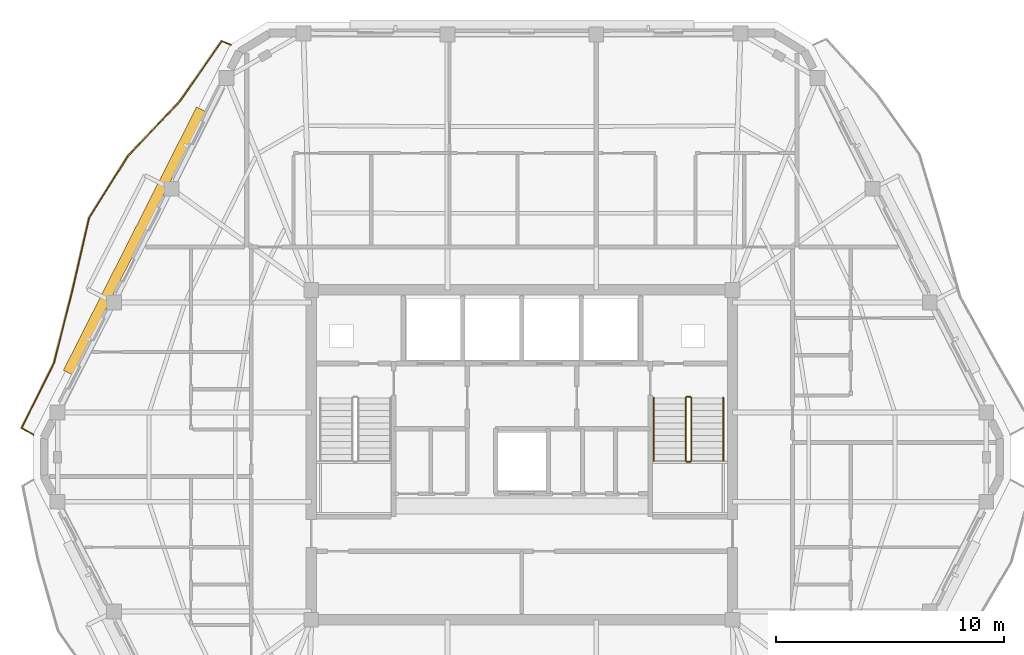
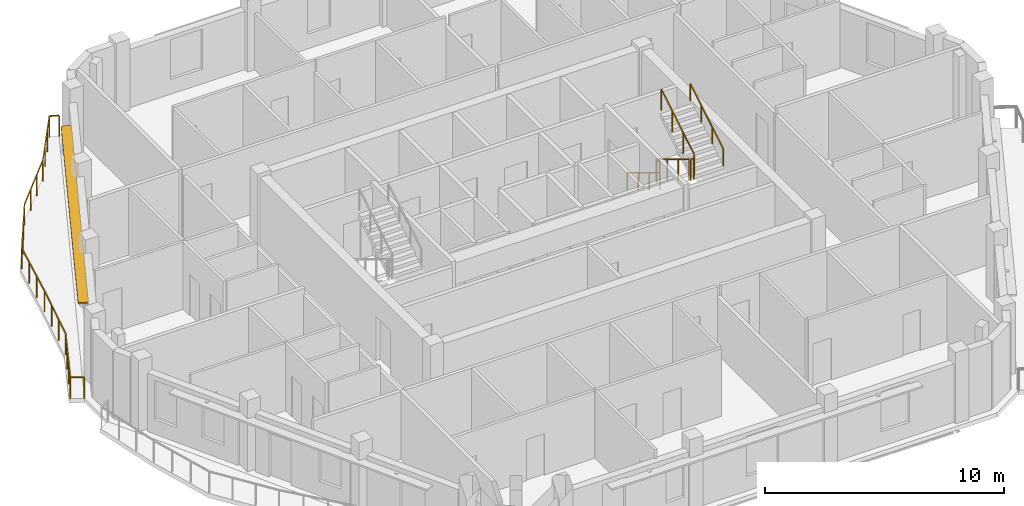
# One storey, part 10 of 11: 7 railings, 1 shading device.
"""IFC4 building model written with IfcOpenShell, lengths in metres."""

from ifc_helpers import new_model, si_unit, direction, frame, origin, origin_2d, place, context, subcontext, project, spatial, rectangle, extrude, material, layer, layer_set, type_object, element, save


model = new_model("IFC4")

# Units and contexts
model_context = context("Model", 3, precision=1e-05, world=origin(), true_north=direction((0.0, 1.0)))
body_context = subcontext(model_context, "Body", "Model", "MODEL_VIEW")
ifc_project = project(units=[si_unit("LENGTHUNIT", "METRE"), si_unit("AREAUNIT", "SQUARE_METRE"), si_unit("VOLUMEUNIT", "CUBIC_METRE"), si_unit("PLANEANGLEUNIT", "RADIAN"), si_unit("MASSUNIT", "GRAM", prefix="KILO")], contexts=[model_context])

# Site, building, storey
site_placement = place(None, origin())
site = spatial("IfcSite", under=ifc_project, at=site_placement, CompositionType="ELEMENT")
building_placement = place(site_placement, origin())
building = spatial("IfcBuilding", under=site, at=building_placement, Name="Cinnabar Lancet Tower", CompositionType="ELEMENT")
storey_placement = place(building_placement, frame((0.0, 0.0, 259.85009765625)))
storey = spatial("IfcBuildingStorey", under=building, at=storey_placement, Name="L69", CompositionType="ELEMENT", Elevation=259.85009765625)

# Railing
ifc_material_1 = material(Name="Laminated safety glass and bronze stainless steel balustrade", Category="steel")
railing_type_1 = type_object("IfcRailingType", Name="ENV-RLG-BAL-1100", PredefinedType="BALUSTRADE", material=ifc_material_1)
railing_1_placement = place(storey_placement, frame((19.638916015625, 43.867919921875, 0.0)))
element("IfcRailing", 1, at=railing_1_placement, inside=storey, type_object=railing_type_1, Name="L69 Face 5 Wave Balcony Balustrade", PredefinedType="BALUSTRADE", context=body_context, shape_type="SweptSolid", body=[
    extrude(rectangle(XDim=0.048095703125, YDim=0.048095703125, at=origin_2d()), frame((0.0, 0.0, 1.076171875), z_axis=(-0.924824144788, 0.380394927958, 0.0), x_axis=(-0.380394927958, -0.924824144788, 0.0)), (0.0, 0.0, 1.0), 0.415283203125),
    extrude(rectangle(XDim=0.048095703125, YDim=0.048095703125, at=origin_2d()), frame((-0.384033203125, 0.157958984375, 1.076171875), z_axis=(-0.570229159209, -0.821485669983, 0.0), x_axis=(0.821485669983, -0.570229159209, 0.0)), (0.0, 0.0, 1.0), 3.21240234375),
    extrude(rectangle(XDim=0.048095703125, YDim=0.048095703125, at=origin_2d()), frame((-2.2158203125, -2.48095703125, 1.076171875), z_axis=(-0.687571197021, -0.726116966492, 0.0), x_axis=(0.726116966492, -0.687571197021, 0.0)), (0.0, 0.0, 1.0), 3.31884765625),
    extrude(rectangle(XDim=0.048095703125, YDim=0.048095703125, at=origin_2d()), frame((-4.497802734375, -4.890869140625, 1.076171875), z_axis=(-0.531783425437, -0.846880386141, 0.0), x_axis=(0.846880386141, -0.531783425437, 0.0)), (0.0, 0.0, 1.0), 3.1953125),
    extrude(rectangle(XDim=0.048095703125, YDim=0.048095703125, at=origin_2d()), frame((-6.197021484375, -7.596923828125, 1.076171875), z_axis=(-0.224641764906, -0.974441418177, 0.0), x_axis=(0.974441418177, -0.224641764906, 0.0)), (0.0, 0.0, 1.0), 3.275634765625),
    extrude(rectangle(XDim=0.048095703125, YDim=0.048095703125, at=origin_2d()), frame((-6.932861328125, -10.788818359375, 1.076171875), z_axis=(-0.245424539708, -0.969415697887, 0.0), x_axis=(0.969415697887, -0.245424539708, 0.0)), (0.0, 0.0, 1.0), 3.259765625),
    extrude(rectangle(XDim=0.048095703125, YDim=0.048095703125, at=origin_2d()), frame((-7.73291015625, -13.948974609375, 1.076171875), z_axis=(-0.445954780839, -0.895055491825, 0.0), x_axis=(0.895055491825, -0.445954780839, 0.0)), (0.0, 0.0, 1.0), 3.181884765625),
    extrude(rectangle(XDim=0.048095703125, YDim=0.048095703125, at=origin_2d()), frame((-9.15185546875, -16.796875, 1.076171875), z_axis=(0.869980501926, -0.493086124596, 0.0), x_axis=(0.493086124596, 0.869980501926, 0.0)), (0.0, 0.0, 1.0), 0.586181640625),
    extrude(rectangle(XDim=0.0419921875, YDim=0.0419921875, at=origin_2d()), origin(), (0.0, 0.0, 1.0), 1.052001953125),
    extrude(rectangle(XDim=0.0419921875, YDim=0.0419921875, at=origin_2d()), frame((-0.384033203125, 0.157958984375, 0.0)), (0.0, 0.0, 1.0), 1.052001953125),
    extrude(rectangle(XDim=0.0419921875, YDim=0.0419921875, at=origin_2d()), frame((-0.99462890625, -0.7216796875, 0.0)), (0.0, 0.0, 1.0), 1.052001953125),
    extrude(rectangle(XDim=0.0419921875, YDim=0.0419921875, at=origin_2d()), frame((-1.605224609375, -1.601318359375, 0.0)), (0.0, 0.0, 1.0), 1.052001953125),
    extrude(rectangle(XDim=0.0419921875, YDim=0.0419921875, at=origin_2d()), frame((-2.2158203125, -2.48095703125, 0.0)), (0.0, 0.0, 1.0), 1.052001953125),
    extrude(rectangle(XDim=0.0419921875, YDim=0.0419921875, at=origin_2d()), frame((-2.9765625, -3.2841796875, 0.0)), (0.0, 0.0, 1.0), 1.052001953125),
    extrude(rectangle(XDim=0.0419921875, YDim=0.0419921875, at=origin_2d()), frame((-3.737060546875, -4.087646484375, 0.0)), (0.0, 0.0, 1.0), 1.052001953125),
    extrude(rectangle(XDim=0.0419921875, YDim=0.0419921875, at=origin_2d()), frame((-4.497802734375, -4.890869140625, 0.0)), (0.0, 0.0, 1.0), 1.052001953125),
    extrude(rectangle(XDim=0.0419921875, YDim=0.0419921875, at=origin_2d()), frame((-5.064208984375, -5.79296875, 0.0)), (0.0, 0.0, 1.0), 1.052001953125),
    extrude(rectangle(XDim=0.0419921875, YDim=0.0419921875, at=origin_2d()), frame((-5.630615234375, -6.69482421875, 0.0)), (0.0, 0.0, 1.0), 1.052001953125),
    extrude(rectangle(XDim=0.0419921875, YDim=0.0419921875, at=origin_2d()), frame((-6.197021484375, -7.596923828125, 0.0)), (0.0, 0.0, 1.0), 1.052001953125),
    extrude(rectangle(XDim=0.0419921875, YDim=0.0419921875, at=origin_2d()), frame((-6.4423828125, -8.660888671875, 0.0)), (0.0, 0.0, 1.0), 1.052001953125),
    extrude(rectangle(XDim=0.0419921875, YDim=0.0419921875, at=origin_2d()), frame((-6.6875, -9.724853515625, 0.0)), (0.0, 0.0, 1.0), 1.052001953125),
    extrude(rectangle(XDim=0.0419921875, YDim=0.0419921875, at=origin_2d()), frame((-6.932861328125, -10.788818359375, 0.0)), (0.0, 0.0, 1.0), 1.052001953125),
    extrude(rectangle(XDim=0.0419921875, YDim=0.0419921875, at=origin_2d()), frame((-7.199462890625, -11.84228515625, 0.0)), (0.0, 0.0, 1.0), 1.052001953125),
    extrude(rectangle(XDim=0.0419921875, YDim=0.0419921875, at=origin_2d()), frame((-7.46630859375, -12.8955078125, 0.0)), (0.0, 0.0, 1.0), 1.052001953125),
    extrude(rectangle(XDim=0.0419921875, YDim=0.0419921875, at=origin_2d()), frame((-7.73291015625, -13.948974609375, 0.0)), (0.0, 0.0, 1.0), 1.052001953125),
    extrude(rectangle(XDim=0.0419921875, YDim=0.0419921875, at=origin_2d()), frame((-8.205810546875, -14.898193359375, 0.0)), (0.0, 0.0, 1.0), 1.052001953125),
    extrude(rectangle(XDim=0.0419921875, YDim=0.0419921875, at=origin_2d()), frame((-8.678955078125, -15.84765625, 0.0)), (0.0, 0.0, 1.0), 1.052001953125),
    extrude(rectangle(XDim=0.0419921875, YDim=0.0419921875, at=origin_2d()), frame((-9.15185546875, -16.796875, 0.0)), (0.0, 0.0, 1.0), 1.052001953125),
    extrude(rectangle(XDim=0.0419921875, YDim=0.0419921875, at=origin_2d()), frame((-8.641845703125, -17.0859375, 0.0)), (0.0, 0.0, 1.0), 1.052001953125),
])

# Shading device
ifc_material_2 = material(Name="Pale limestone architectural aluminium sunshade", Category="masonry")
ifc_layer = layer(ifc_material_2, 0.080078125)
ifc_layer_set = layer_set([ifc_layer], Name="Pale limestone architectural aluminium sunshade")
shading_device_type = type_object("IfcShadingDeviceType", Name="ENV-SHD-LVR-450", PredefinedType="JALOUSIE", material=ifc_layer_set)
shading_device_placement = place(storey_placement, frame((15.43603515625, 35.27001953125, 2.639892578125), z_axis=(0.0, 0.0, 1.0), x_axis=(-0.451375984307, -0.89233386173, 0.0)))
element("IfcShadingDevice", 2, at=shading_device_placement, inside=storey, type_object=shading_device_type, Name="L69 Face 5 Horizontal Sunshade Canopy", PredefinedType="JALOUSIE", context=body_context, shape_type="SweptSolid", body=[
    extrude(rectangle(XDim=12.912109375, YDim=0.449951171875, at=origin_2d()), origin(), (0.0, 0.0, 1.0), 0.080078125),
])

# Railings
ifc_material_3 = material(Name="Painted galvanized steel balustrade", Category="steel")
railing_type_2 = type_object("IfcRailingType", Name="GUARD-STAIR", PredefinedType="GUARDRAIL", material=ifc_material_3)
railing_2_placement = place(storey_placement, frame((39.574951171875, 28.39990234375, 0.165771484375)))
element("IfcRailing", 3, at=railing_2_placement, inside=storey, type_object=railing_type_2, Name="L69 ST-2 stair guard 1", PredefinedType="GUARDRAIL", context=body_context, shape_type="SweptSolid", body=[
    extrude(rectangle(XDim=0.048095703125, YDim=0.048095703125, at=origin_2d()), frame((0.0, 0.0, 1.076171875), z_axis=(0.0, -0.856229400918, 0.51659579267), x_axis=(1.0, 0.0, 0.0)), (0.0, 0.0, 1.0), 3.211669921875),
    extrude(rectangle(XDim=0.0419921875, YDim=0.0419921875, at=origin_2d()), origin(), (0.0, 0.0, 1.0), 1.052001953125),
    extrude(rectangle(XDim=0.0419921875, YDim=0.0419921875, at=origin_2d()), frame((0.0, -0.916748046875, 0.552978515625)), (0.0, 0.0, 1.0), 1.052001953125),
    extrude(rectangle(XDim=0.0419921875, YDim=0.0419921875, at=origin_2d()), frame((0.0, -1.833251953125, 1.106201171875)), (0.0, 0.0, 1.0), 1.052001953125),
    extrude(rectangle(XDim=0.0419921875, YDim=0.0419921875, at=origin_2d()), frame((0.0, -2.75, 1.6591796875)), (0.0, 0.0, 1.0), 1.052001953125),
])
railing_3_placement = place(storey_placement, frame((39.625, 25.60009765625, 1.824951171875)))
element("IfcRailing", 4, at=railing_3_placement, inside=storey, type_object=railing_type_2, Name="L69 ST-2 stair guard 2", PredefinedType="GUARDRAIL", context=body_context, shape_type="SweptSolid", body=[
    extrude(rectangle(XDim=0.048095703125, YDim=0.048095703125, at=origin_2d()), frame((0.0, 0.0, 1.076171875), z_axis=(1.0, 0.0, 0.0), x_axis=(0.0, 1.0, 0.0)), (0.0, 0.0, 1.0), 0.14990234375),
    extrude(rectangle(XDim=0.0419921875, YDim=0.0419921875, at=origin_2d()), origin(), (0.0, 0.0, 1.0), 1.052001953125),
    extrude(rectangle(XDim=0.0419921875, YDim=0.0419921875, at=origin_2d()), frame((0.14990234375, 0.0, 0.0)), (0.0, 0.0, 1.0), 1.052001953125),
])
railing_4_placement = place(storey_placement, frame((39.824951171875, 25.64990234375, 1.99072265625)))
element("IfcRailing", 5, at=railing_4_placement, inside=storey, type_object=railing_type_2, Name="L69 ST-2 stair guard 3", PredefinedType="GUARDRAIL", context=body_context, shape_type="SweptSolid", body=[
    extrude(rectangle(XDim=0.048095703125, YDim=0.048095703125, at=origin_2d()), frame((0.0, 0.0, 1.076171875), z_axis=(0.0, 0.856229400918, 0.51659579267), x_axis=(-1.0, 0.0, 0.0)), (0.0, 0.0, 1.0), 3.211669921875),
    extrude(rectangle(XDim=0.0419921875, YDim=0.0419921875, at=origin_2d()), origin(), (0.0, 0.0, 1.0), 1.052001953125),
    extrude(rectangle(XDim=0.0419921875, YDim=0.0419921875, at=origin_2d()), frame((0.0, 0.916748046875, 0.552978515625)), (0.0, 0.0, 1.0), 1.052001953125),
    extrude(rectangle(XDim=0.0419921875, YDim=0.0419921875, at=origin_2d()), frame((0.0, 1.833251953125, 1.106201171875)), (0.0, 0.0, 1.0), 1.052001953125),
    extrude(rectangle(XDim=0.0419921875, YDim=0.0419921875, at=origin_2d()), frame((0.0, 2.75, 1.6591796875)), (0.0, 0.0, 1.0), 1.052001953125),
])
railing_5_placement = place(storey_placement, frame((39.625, 28.449951171875, 0.0)))
element("IfcRailing", 6, at=railing_5_placement, inside=storey, type_object=railing_type_2, Name="L69 ST-2 stair guard 4", PredefinedType="GUARDRAIL", context=body_context, shape_type="SweptSolid", body=[
    extrude(rectangle(XDim=0.048095703125, YDim=0.048095703125, at=origin_2d()), frame((0.0, 0.0, 1.076171875), z_axis=(1.0, 0.0, 0.0), x_axis=(0.0, 1.0, 0.0)), (0.0, 0.0, 1.0), 0.14990234375),
    extrude(rectangle(XDim=0.0419921875, YDim=0.0419921875, at=origin_2d()), origin(), (0.0, 0.0, 1.0), 1.052001953125),
    extrude(rectangle(XDim=0.0419921875, YDim=0.0419921875, at=origin_2d()), frame((0.14990234375, 0.0, 0.0)), (0.0, 0.0, 1.0), 1.052001953125),
])
ifc_material_4 = material(Name="Brushed stainless steel handrail", Category="steel")
railing_type_3 = type_object("IfcRailingType", Name="HANDRAIL-STAIR", PredefinedType="HANDRAIL", material=ifc_material_4)
railing_6_placement = place(storey_placement, frame((38.175048828125, 28.39990234375, 0.165771484375)))
element("IfcRailing", 7, at=railing_6_placement, inside=storey, type_object=railing_type_3, Name="L69 ST-2 stair handrail 1", PredefinedType="HANDRAIL", context=body_context, shape_type="SweptSolid", body=[
    extrude(rectangle(XDim=0.048095703125, YDim=0.048095703125, at=origin_2d()), frame((0.0, 0.0, 0.8759765625), z_axis=(0.0, -0.856229400918, 0.51659579267), x_axis=(1.0, 0.0, 0.0)), (0.0, 0.0, 1.0), 3.211669921875),
    extrude(rectangle(XDim=0.0419921875, YDim=0.0419921875, at=origin_2d()), origin(), (0.0, 0.0, 1.0), 0.851806640625),
    extrude(rectangle(XDim=0.0419921875, YDim=0.0419921875, at=origin_2d()), frame((0.0, -0.916748046875, 0.552978515625)), (0.0, 0.0, 1.0), 0.851806640625),
    extrude(rectangle(XDim=0.0419921875, YDim=0.0419921875, at=origin_2d()), frame((0.0, -1.833251953125, 1.106201171875)), (0.0, 0.0, 1.0), 0.851806640625),
    extrude(rectangle(XDim=0.0419921875, YDim=0.0419921875, at=origin_2d()), frame((0.0, -2.75, 1.6591796875)), (0.0, 0.0, 1.0), 0.851806640625),
])
railing_7_placement = place(storey_placement, frame((41.22509765625, 25.64990234375, 1.99072265625)))
element("IfcRailing", 8, at=railing_7_placement, inside=storey, type_object=railing_type_3, Name="L69 ST-2 stair handrail 2", PredefinedType="HANDRAIL", context=body_context, shape_type="SweptSolid", body=[
    extrude(rectangle(XDim=0.048095703125, YDim=0.048095703125, at=origin_2d()), frame((0.0, 0.0, 0.8759765625), z_axis=(0.0, 0.856229400918, 0.51659579267), x_axis=(-1.0, 0.0, 0.0)), (0.0, 0.0, 1.0), 3.211669921875),
    extrude(rectangle(XDim=0.0419921875, YDim=0.0419921875, at=origin_2d()), origin(), (0.0, 0.0, 1.0), 0.851806640625),
    extrude(rectangle(XDim=0.0419921875, YDim=0.0419921875, at=origin_2d()), frame((0.0, 0.916748046875, 0.552978515625)), (0.0, 0.0, 1.0), 0.851806640625),
    extrude(rectangle(XDim=0.0419921875, YDim=0.0419921875, at=origin_2d()), frame((0.0, 1.833251953125, 1.106201171875)), (0.0, 0.0, 1.0), 0.851806640625),
    extrude(rectangle(XDim=0.0419921875, YDim=0.0419921875, at=origin_2d()), frame((0.0, 2.75, 1.6591796875)), (0.0, 0.0, 1.0), 0.851806640625),
])

save(model, "model.ifc")
